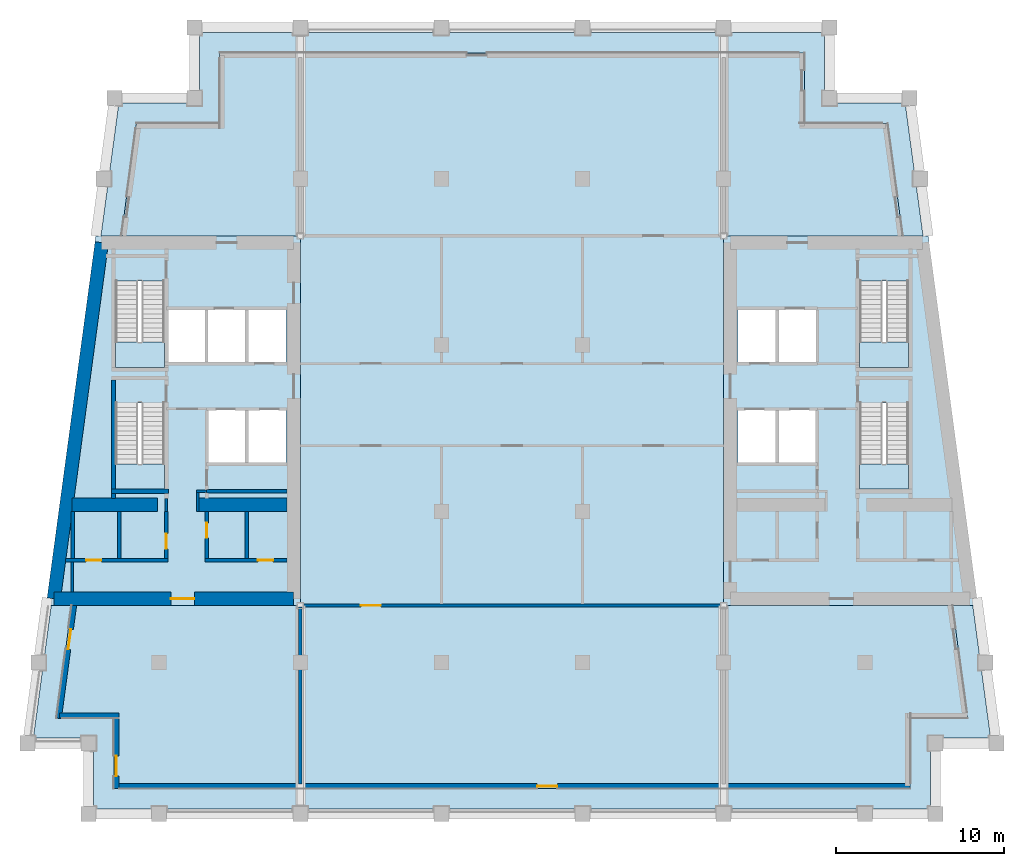
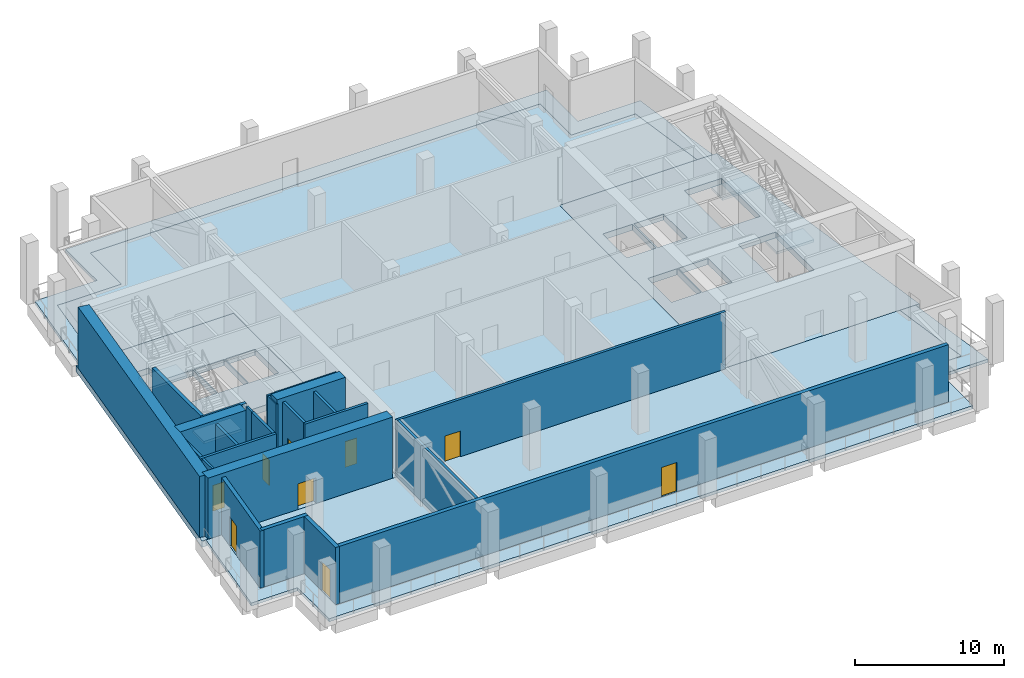
# One storey, part 4 of 11: 24 walls, 9 doors, 9 slabs, 9 openings, 4 elements without a shape of their own.
"""IFC4 building model written with IfcOpenShell, lengths in metres."""

from ifc_helpers import new_model, si_unit, direction, frame, frame_2d, origin, place, context, subcontext, project, spatial, polyline, rectangle, outline, extrude, material, layer, layer_set, type_object, element, fill, aggregate, save


model = new_model("IFC4")

# Units and contexts
model_context = context("Model", 3, precision=1e-05, world=origin(), true_north=direction((0.0, 1.0)))
body_context = subcontext(model_context, "Body", "Model", "MODEL_VIEW")
ifc_project = project(units=[si_unit("LENGTHUNIT", "METRE"), si_unit("AREAUNIT", "SQUARE_METRE"), si_unit("VOLUMEUNIT", "CUBIC_METRE"), si_unit("PLANEANGLEUNIT", "RADIAN"), si_unit("MASSUNIT", "GRAM", prefix="KILO")], contexts=[model_context])

# Site, building, storey
site_placement = place(None, origin())
site = spatial("IfcSite", under=ifc_project, at=site_placement, CompositionType="ELEMENT")
building_placement = place(site_placement, origin())
building = spatial("IfcBuilding", under=site, at=building_placement, Name="Candeia Pilgrim Tower and Theatre", CompositionType="ELEMENT")
storey_placement = place(building_placement, frame((0.0, 0.0, 254.0)))
storey = spatial("IfcBuildingStorey", under=building, at=storey_placement, Name="L61", CompositionType="ELEMENT", Elevation=254.0)

# Slabs
ifc_material_1 = material(Name="Concrete C60/75", Category="concrete")
ifc_layer_1 = layer(ifc_material_1, 0.5)
ifc_layer_set_1 = layer_set([ifc_layer_1], Name="FS-CORE 500 core floor")
slab_type_1 = type_object("IfcSlabType", Name="FS-CORE 500 core floor", PredefinedType="FLOOR", material=ifc_layer_set_1)
slab_1_placement = place(storey_placement, frame((0.0, 0.0, -0.5)))
element("IfcSlab", 1, at=slab_1_placement, inside=storey, type_object=slab_type_1, Name="Core floor W L61", PredefinedType="FLOOR", context=body_context, shape_type="SweptSolid", body=[
    extrude(outline(polyline([(100.800048828125, 132.39990234375), (100.800048828125, 110.39990234375), (85.669189453125, 110.39990234375), (88.630859375, 132.39990234375), (100.800048828125, 132.39990234375)]), holes=[polyline([(97.658935546875, 128.050048828125), (97.658935546875, 124.85009765625), (99.949951171875, 124.85009765625), (99.949951171875, 128.050048828125), (97.658935546875, 128.050048828125)]), polyline([(97.66357421875, 122.050048828125), (97.66357421875, 118.85009765625), (99.949951171875, 118.85009765625), (99.949951171875, 122.050048828125), (97.66357421875, 122.050048828125)]), polyline([(95.277099609375, 122.050048828125), (95.277099609375, 118.85009765625), (97.5634765625, 118.85009765625), (97.5634765625, 122.050048828125), (95.277099609375, 122.050048828125)]), polyline([(95.26806640625, 128.050048828125), (95.26806640625, 124.85009765625), (97.55908203125, 124.85009765625), (97.55908203125, 128.050048828125), (95.26806640625, 128.050048828125)]), polyline([(92.876953125, 128.050048828125), (92.876953125, 124.85009765625), (95.16796875, 124.85009765625), (95.16796875, 128.050048828125), (92.876953125, 128.050048828125)]), polyline([(89.802001953125, 117.324951171875), (92.701904296875, 117.324951171875), (92.701904296875, 122.455078125), (89.802001953125, 122.455078125), (89.802001953125, 117.324951171875)]), polyline([(89.802001953125, 129.705078125), (89.802001953125, 124.574951171875), (92.701904296875, 124.574951171875), (92.701904296875, 129.705078125), (89.802001953125, 129.705078125)])]), origin(), (0.0, 0.0, 1.0), 0.5),
])
slab_2_placement = place(storey_placement, frame((0.0, 0.0, -0.5)))
element("IfcSlab", 2, at=slab_2_placement, inside=storey, type_object=slab_type_1, Name="Core floor E L61", PredefinedType="FLOOR", context=body_context, shape_type="SweptSolid", body=[
    extrude(outline(polyline([(138.169189453125, 132.39990234375), (141.130859375, 110.39990234375), (126.0, 110.39990234375), (126.0, 132.39990234375), (138.169189453125, 132.39990234375)]), holes=[polyline([(134.097900390625, 117.324951171875), (136.998046875, 117.324951171875), (136.998046875, 122.455078125), (134.097900390625, 122.455078125), (134.097900390625, 117.324951171875)]), polyline([(134.097900390625, 129.705078125), (134.097900390625, 124.574951171875), (136.998046875, 124.574951171875), (136.998046875, 129.705078125), (134.097900390625, 129.705078125)]), polyline([(131.531982421875, 128.050048828125), (129.240966796875, 128.050048828125), (129.240966796875, 124.85009765625), (131.531982421875, 124.85009765625), (131.531982421875, 128.050048828125)]), polyline([(131.52294921875, 122.050048828125), (129.236572265625, 122.050048828125), (129.236572265625, 118.85009765625), (131.52294921875, 118.85009765625), (131.52294921875, 122.050048828125)]), polyline([(126.85009765625, 128.050048828125), (126.85009765625, 124.85009765625), (129.14111328125, 124.85009765625), (129.14111328125, 128.050048828125), (126.85009765625, 128.050048828125)]), polyline([(129.136474609375, 122.050048828125), (126.85009765625, 122.050048828125), (126.85009765625, 118.85009765625), (129.136474609375, 118.85009765625), (129.136474609375, 122.050048828125)])]), origin(), (0.0, 0.0, 1.0), 0.5),
])
ifc_material_2 = material(Name="Concrete C50/60", Category="concrete")
ifc_layer_2 = layer(ifc_material_2, 0.5)
ifc_layer_set_2 = layer_set([ifc_layer_2], Name="Floor slab 500 C50/60")
slab_type_2 = type_object("IfcSlabType", Name="Floor slab 500 C50/60", PredefinedType="FLOOR", material=ifc_layer_set_2)
slab_3_placement = place(storey_placement, frame((0.0, 0.0, -0.5)))
element("IfcSlab", 3, at=slab_3_placement, inside=storey, type_object=slab_type_2, Name="Floor slab L61", PredefinedType="FLOOR", context=body_context, shape_type="SweptSolid", body=[
    extrude(outline(polyline([(96.0, 139.10009765625), (96.0, 143.300048828125), (130.800048828125, 143.300048828125), (130.800048828125, 139.10009765625), (135.753662109375, 139.10009765625), (136.65576171875, 132.39990234375), (126.0, 132.39990234375), (126.0, 110.39990234375), (139.6171875, 110.39990234375), (140.51904296875, 103.699951171875), (137.10009765625, 103.699951171875), (137.10009765625, 99.5), (89.699951171875, 99.5), (89.699951171875, 103.699951171875), (86.28076171875, 103.699951171875), (87.182861328125, 110.39990234375), (100.800048828125, 110.39990234375), (100.800048828125, 132.39990234375), (90.144287109375, 132.39990234375), (91.046142578125, 139.10009765625), (96.0, 139.10009765625)])), origin(), (0.0, 0.0, 1.0), 0.5),
])
ifc_material_3 = material(Name="Concrete C40/50", Category="concrete")
ifc_layer_3 = layer(ifc_material_3, 0.25)
ifc_layer_set_3 = layer_set([ifc_layer_3], Name="Loggia slab 250 C40/50")
slab_type_3 = type_object("IfcSlabType", Name="Loggia slab 250 C40/50", PredefinedType="FLOOR", material=ifc_layer_set_3)
slab_4_placement = place(storey_placement, frame((0.0, 0.0, -0.25)))
element("IfcSlab", 4, at=slab_4_placement, inside=storey, type_object=slab_type_3, Name="Loggia slab L61 1", PredefinedType="FLOOR", context=body_context, shape_type="SweptSolid", body=[
    extrude(outline(polyline([(87.182861328125, 110.39990234375), (86.28076171875, 103.699951171875), (89.699951171875, 103.699951171875), (89.699951171875, 99.5), (137.10009765625, 99.5), (137.10009765625, 103.699951171875), (140.51904296875, 103.699951171875), (139.6171875, 110.39990234375), (140.828125, 110.39990234375), (141.8916015625, 102.5), (138.300048828125, 102.5), (138.300048828125, 98.300048828125), (88.5, 98.300048828125), (88.5, 102.5), (84.908447265625, 102.5), (85.971923828125, 110.39990234375), (87.182861328125, 110.39990234375)])), origin(), (0.0, 0.0, 1.0), 0.25),
])
slab_5_placement = place(storey_placement, frame((0.0, 0.0, -0.25)))
element("IfcSlab", 5, at=slab_5_placement, inside=storey, type_object=slab_type_3, Name="Loggia slab L61 2", PredefinedType="FLOOR", context=body_context, shape_type="SweptSolid", body=[
    extrude(outline(polyline([(136.65576171875, 132.39990234375), (135.753662109375, 139.10009765625), (130.800048828125, 139.10009765625), (130.800048828125, 143.300048828125), (96.0, 143.300048828125), (96.0, 139.10009765625), (91.046142578125, 139.10009765625), (90.144287109375, 132.39990234375), (88.93359375, 132.39990234375), (89.996826171875, 140.300048828125), (94.800048828125, 140.300048828125), (94.800048828125, 144.5), (132.0, 144.5), (132.0, 140.300048828125), (136.802978515625, 140.300048828125), (137.866455078125, 132.39990234375), (136.65576171875, 132.39990234375)])), origin(), (0.0, 0.0, 1.0), 0.25),
])

# Stair, slab
stair_type = type_object("IfcStairType", Name="ST-TWR dog-leg escape stair", PredefinedType="HALF_TURN_STAIR", material=ifc_material_3)
stair_1_placement = place(storey_placement, origin())
stair_1 = element("IfcStair", 6, at=stair_1_placement, inside=storey, type_object=stair_type, Name="L61 Escape stair ST1", PredefinedType="HALF_TURN_STAIR")
ifc_layer_4 = layer(ifc_material_3, 0.199951171875)
ifc_layer_set_4 = layer_set([ifc_layer_4], Name="SL-LANDING stair landing")
slab_type_4 = type_object("IfcSlabType", Name="SL-LANDING stair landing", PredefinedType="LANDING", material=ifc_layer_set_4)
slab_6_placement = place(storey_placement, frame((0.0, 0.0, 2.300048828125)))
slab_6 = element("IfcSlab", 7, at=slab_6_placement, type_object=slab_type_4, Name="ST1 landing 1", PredefinedType="LANDING", context=body_context, shape_type="SweptSolid", body=[
    extrude(outline(polyline([(89.802001953125, 118.8349609375), (89.802001953125, 117.324951171875), (92.701904296875, 117.324951171875), (92.701904296875, 118.8349609375), (89.802001953125, 118.8349609375)])), origin(), (0.0, 0.0, 1.0), 0.199951171875),
])
aggregate(stair_1, [slab_6])

stair_2_placement = place(storey_placement, origin())
stair_2 = element("IfcStair", 8, at=stair_2_placement, inside=storey, type_object=stair_type, Name="L61 Escape stair ST2", PredefinedType="HALF_TURN_STAIR")
slab_7_placement = place(storey_placement, frame((0.0, 0.0, 2.300048828125)))
slab_7 = element("IfcSlab", 9, at=slab_7_placement, type_object=slab_type_4, Name="ST2 landing 1", PredefinedType="LANDING", context=body_context, shape_type="SweptSolid", body=[
    extrude(outline(polyline([(89.802001953125, 126.0849609375), (89.802001953125, 124.574951171875), (92.701904296875, 124.574951171875), (92.701904296875, 126.0849609375), (89.802001953125, 126.0849609375)])), origin(), (0.0, 0.0, 1.0), 0.199951171875),
])
aggregate(stair_2, [slab_7])

stair_3_placement = place(storey_placement, origin())
stair_3 = element("IfcStair", 10, at=stair_3_placement, inside=storey, type_object=stair_type, Name="L61 Escape stair ST3", PredefinedType="HALF_TURN_STAIR")
slab_8_placement = place(storey_placement, frame((0.0, 0.0, 2.300048828125)))
slab_8 = element("IfcSlab", 11, at=slab_8_placement, type_object=slab_type_4, Name="ST3 landing 1", PredefinedType="LANDING", context=body_context, shape_type="SweptSolid", body=[
    extrude(outline(polyline([(134.097900390625, 118.8349609375), (134.097900390625, 117.324951171875), (136.998046875, 117.324951171875), (136.998046875, 118.8349609375), (134.097900390625, 118.8349609375)])), origin(), (0.0, 0.0, 1.0), 0.199951171875),
])
aggregate(stair_3, [slab_8])

stair_4_placement = place(storey_placement, origin())
stair_4 = element("IfcStair", 12, at=stair_4_placement, inside=storey, type_object=stair_type, Name="L61 Escape stair ST4", PredefinedType="HALF_TURN_STAIR")
slab_9_placement = place(storey_placement, frame((0.0, 0.0, 2.300048828125)))
slab_9 = element("IfcSlab", 13, at=slab_9_placement, type_object=slab_type_4, Name="ST4 landing 1", PredefinedType="LANDING", context=body_context, shape_type="SweptSolid", body=[
    extrude(outline(polyline([(134.097900390625, 126.0849609375), (134.097900390625, 124.574951171875), (136.998046875, 124.574951171875), (136.998046875, 126.0849609375), (134.097900390625, 126.0849609375)])), origin(), (0.0, 0.0, 1.0), 0.199951171875),
])
aggregate(stair_4, [slab_9])

# Wall, opening, door
ifc_layer_5 = layer(ifc_material_2, 0.800048828125)
ifc_layer_set_5 = layer_set([ifc_layer_5], Name="Core wall 800 C50/60")
wall_type_1 = type_object("IfcWallType", Name="Core wall 800 C50/60", PredefinedType="SHEAR", material=ifc_layer_set_5)
wall_1_placement = place(storey_placement, frame((100.39990234375, 110.800048828125, 0.0), z_axis=(0.0, 0.0, 1.0), x_axis=(-1.0, 0.0, 0.0)))
wall_1 = element("IfcWall", 14, at=wall_1_placement, inside=storey, type_object=wall_type_1, Name="Core wall W3", PredefinedType="SHEAR", context=body_context, shape_type="SweptSolid", body=[
    extrude(rectangle(XDim=14.273193359375, YDim=0.800048828125, at=frame_2d((7.13671875, 0.0))), origin(), (0.0, 0.0, 1.0), 5.0),
])
opening_1_placement = place(wall_1_placement, frame((5.907958984375, 0.0, 0.0)))
opening_1 = element("IfcOpeningElement", 15, at=opening_1_placement, cuts=wall_1, Name="Opening L61-D025", PredefinedType="OPENING", context=body_context, shape_type="SweptSolid", body=[
    extrude(rectangle(XDim=1.39990234375, YDim=2.10009765625, at=frame_2d((0.699951171875, 1.050048828125))), frame((0.0, 0.41015625, 0.0), z_axis=(0.0, -1.0, 0.0), x_axis=(1.0, 0.0, 0.0)), (0.0, 0.0, 1.0), 0.820068359375),
])
ifc_material_4 = material(Name="Steel fire door set", Category="steel")
door_type_1 = type_object("IfcDoorType", Name="D-1400-FD60", OperationType="NOTDEFINED", PredefinedType="DOOR", material=ifc_material_4)
door_1_placement = place(opening_1_placement, origin())
door_1 = element("IfcDoor", 16, at=door_1_placement, inside=storey, type_object=door_type_1, Name="Door L61-D025", OperationType="SINGLE_SWING_RIGHT", OverallHeight=2.10009765625, OverallWidth=1.39990234375, PredefinedType="DOOR", context=body_context, shape_type="SweptSolid", body=[
    extrude(rectangle(XDim=1.39990234375, YDim=2.10009765625, at=frame_2d((0.699951171875, 1.050048828125))), frame((0.0, 0.02490234375, 0.0), z_axis=(0.0, -1.0, 0.0), x_axis=(1.0, 0.0, 0.0)), (0.0, 0.0, 1.0), 0.050048828125),
])
fill(opening_1, door_1)

# Walls
wall_2_placement = place(storey_placement, frame((86.126708984375, 110.800048828125, 0.0), z_axis=(0.0, 0.0, 1.0), x_axis=(0.133408347329, 0.991061154956, 0.0)))
element("IfcWall", 17, at=wall_2_placement, inside=storey, type_object=wall_type_1, Name="Core wall W4", PredefinedType="SHEAR", context=body_context, shape_type="SweptSolid", body=[
    extrude(rectangle(XDim=21.39111328125, YDim=0.800048828125, at=frame_2d((10.695556640625, 0.0))), origin(), (0.0, 0.0, 1.0), 5.0),
])
wall_3_placement = place(storey_placement, frame((87.22314453125, 116.39990234375, 0.0), z_axis=(0.0, 0.0, 1.0), x_axis=(1.0, 0.0, 0.0)))
element("IfcWall", 18, at=wall_3_placement, inside=storey, type_object=wall_type_1, Name="Core wall W5", PredefinedType="SHEAR", context=body_context, shape_type="SweptSolid", body=[
    extrude(rectangle(XDim=5.076904296875, YDim=0.800048828125, at=frame_2d((2.53857421875, 0.0))), origin(), (0.0, 0.0, 1.0), 5.0),
])
wall_4_placement = place(storey_placement, frame((94.699951171875, 116.39990234375, 0.0), z_axis=(0.0, 0.0, 1.0), x_axis=(1.0, 0.0, 0.0)))
element("IfcWall", 19, at=wall_4_placement, inside=storey, type_object=wall_type_1, Name="Core wall W6", PredefinedType="SHEAR", context=body_context, shape_type="SweptSolid", body=[
    extrude(rectangle(XDim=5.300048828125, YDim=0.800048828125, at=frame_2d((2.64990234375, 0.0))), origin(), (0.0, 0.0, 1.0), 5.0),
])

# Wall, opening, door
ifc_material_5 = material(Name="Ceramic block masonry", Category="masonry")
ifc_layer_6 = layer(ifc_material_5, 0.300048828125)
ifc_layer_set_6 = layer_set([ifc_layer_6], Name="EW1 glazing-line wall 300")
wall_type_2 = type_object("IfcWallType", Name="EW1 glazing-line wall 300", PredefinedType="SOLIDWALL", material=ifc_layer_set_6)
wall_5_placement = place(storey_placement, frame((89.85009765625, 99.64990234375, 0.0), z_axis=(0.0, 0.0, 1.0), x_axis=(1.0, 0.0, 0.0)))
wall_5 = element("IfcWall", 20, at=wall_5_placement, inside=storey, type_object=wall_type_2, Name="External wall L61-0.0", PredefinedType="SOLIDWALL", context=body_context, shape_type="SweptSolid", body=[
    extrude(rectangle(XDim=47.25, YDim=0.300048828125, at=frame_2d((23.625, 0.0))), origin(), (0.0, 0.0, 1.0), 4.679931640625),
])
opening_2_placement = place(wall_5_placement, frame((25.050048828125, 0.0, 0.0)))
opening_2 = element("IfcOpeningElement", 21, at=opening_2_placement, cuts=wall_5, Name="Opening L61-ED577", PredefinedType="OPENING", context=body_context, shape_type="SweptSolid", body=[
    extrude(rectangle(XDim=1.199951171875, YDim=2.39990234375, at=frame_2d((0.60009765625, 1.199951171875))), frame((0.0, 0.16015625, 0.0), z_axis=(0.0, -1.0, 0.0), x_axis=(1.0, 0.0, 0.0)), (0.0, 0.0, 1.0), 0.320068359375),
])
ifc_material_6 = material(Name="Aluminium framed glazed door", Category="aluminium")
door_type_2 = type_object("IfcDoorType", Name="Loggia door 1200x2400", OperationType="DOUBLE_DOOR_SINGLE_SWING", PredefinedType="DOOR", material=ifc_material_6)
door_2_placement = place(opening_2_placement, origin())
door_2 = element("IfcDoor", 22, at=door_2_placement, inside=storey, type_object=door_type_2, Name="Loggia door L61-ED577", OperationType="DOUBLE_DOOR_SINGLE_SWING", OverallHeight=2.39990234375, OverallWidth=1.199951171875, PredefinedType="DOOR", context=body_context, shape_type="SweptSolid", body=[
    extrude(rectangle(XDim=1.199951171875, YDim=2.39990234375, at=frame_2d((0.60009765625, 1.199951171875))), frame((0.0, 0.02490234375, 0.0), z_axis=(0.0, -1.0, 0.0), x_axis=(1.0, 0.0, 0.0)), (0.0, 0.0, 1.0), 0.050048828125),
])
fill(opening_2, door_2)

wall_6_placement = place(storey_placement, frame((87.334228515625, 110.39990234375, 0.0), z_axis=(0.0, 0.0, 1.0), x_axis=(-0.133437175554, -0.991057273915, 0.0)))
wall_6 = element("IfcWall", 23, at=wall_6_placement, inside=storey, type_object=wall_type_2, Name="External wall L61-9.1", PredefinedType="SOLIDWALL", context=body_context, shape_type="SweptSolid", body=[
    extrude(rectangle(XDim=6.780517578125, YDim=0.300048828125, at=frame_2d((3.39013671875, 0.0))), origin(), (0.0, 0.0, 1.0), 4.679931640625),
])
opening_3_placement = place(wall_6_placement, frame((1.41796875, 0.0, 0.0)))
opening_3 = element("IfcOpeningElement", 24, at=opening_3_placement, cuts=wall_6, Name="Opening L61-ED583", PredefinedType="OPENING", context=body_context, shape_type="SweptSolid", body=[
    extrude(rectangle(XDim=1.199951171875, YDim=2.39990234375, at=frame_2d((0.60009765625, 1.199951171875))), frame((0.0, 0.16015625, 0.0), z_axis=(0.0, -1.0, 0.0), x_axis=(1.0, 0.0, 0.0)), (0.0, 0.0, 1.0), 0.320068359375),
])
door_3_placement = place(opening_3_placement, origin())
door_3 = element("IfcDoor", 25, at=door_3_placement, inside=storey, type_object=door_type_2, Name="Loggia door L61-ED583", OperationType="DOUBLE_DOOR_SINGLE_SWING", OverallHeight=2.39990234375, OverallWidth=1.199951171875, PredefinedType="DOOR", context=body_context, shape_type="SweptSolid", body=[
    extrude(rectangle(XDim=1.199951171875, YDim=2.39990234375, at=frame_2d((0.60009765625, 1.199951171875))), frame((0.0, 0.02490234375, 0.0), z_axis=(0.0, -1.0, 0.0), x_axis=(1.0, 0.0, 0.0)), (0.0, 0.0, 1.0), 0.050048828125),
])
fill(opening_3, door_3)

# Wall
wall_7_placement = place(storey_placement, frame((86.452392578125, 103.85009765625, 0.0), z_axis=(0.0, 0.0, 1.0), x_axis=(1.0, 0.0, 0.0)))
element("IfcWall", 26, at=wall_7_placement, inside=storey, type_object=wall_type_2, Name="External wall L61-10.0", PredefinedType="SOLIDWALL", context=body_context, shape_type="SweptSolid", body=[
    extrude(rectangle(XDim=3.547607421875, YDim=0.300048828125, at=frame_2d((1.77392578125, 0.0))), origin(), (0.0, 0.0, 1.0), 4.679931640625),
])

# Wall, opening, door
wall_8_placement = place(storey_placement, frame((89.85009765625, 103.85009765625, 0.0), z_axis=(0.0, 0.0, 1.0), x_axis=(0.0, -1.0, 0.0)))
wall_8 = element("IfcWall", 27, at=wall_8_placement, inside=storey, type_object=wall_type_2, Name="External wall L61-11.0", PredefinedType="SOLIDWALL", context=body_context, shape_type="SweptSolid", body=[
    extrude(rectangle(XDim=4.35009765625, YDim=0.300048828125, at=frame_2d((2.175048828125, 0.0))), origin(), (0.0, 0.0, 1.0), 4.679931640625),
])
opening_4_placement = place(wall_8_placement, frame((2.39990234375, 0.0, 0.0)))
opening_4 = element("IfcOpeningElement", 28, at=opening_4_placement, cuts=wall_8, Name="Opening L61-ED584", PredefinedType="OPENING", context=body_context, shape_type="SweptSolid", body=[
    extrude(rectangle(XDim=1.199951171875, YDim=2.39990234375, at=frame_2d((0.60009765625, 1.199951171875))), frame((0.0, 0.16015625, 0.0), z_axis=(0.0, -1.0, 0.0), x_axis=(1.0, 0.0, 0.0)), (0.0, 0.0, 1.0), 0.320068359375),
])
door_4_placement = place(opening_4_placement, origin())
door_4 = element("IfcDoor", 29, at=door_4_placement, inside=storey, type_object=door_type_2, Name="Loggia door L61-ED584", OperationType="DOUBLE_DOOR_SINGLE_SWING", OverallHeight=2.39990234375, OverallWidth=1.199951171875, PredefinedType="DOOR", context=body_context, shape_type="SweptSolid", body=[
    extrude(rectangle(XDim=1.199951171875, YDim=2.39990234375, at=frame_2d((0.60009765625, 1.199951171875))), frame((0.0, 0.02490234375, 0.0), z_axis=(0.0, -1.0, 0.0), x_axis=(1.0, 0.0, 0.0)), (0.0, 0.0, 1.0), 0.050048828125),
])
fill(opening_4, door_4)

# Walls
ifc_material_7 = material(Name="Gypsum board partition on steel studs", Category="steel")
ifc_layer_7 = layer(ifc_material_7, 0.14990234375)
ifc_layer_set_7 = layer_set([ifc_layer_7], Name="PW-150 lobby wall")
wall_type_3 = type_object("IfcWallType", Name="PW-150 lobby wall", PredefinedType="PARTITIONING", material=ifc_layer_set_7)
wall_9_placement = place(storey_placement, frame((94.625, 117.199951171875, 0.0), z_axis=(0.0, 0.0, 1.0), x_axis=(1.0, 0.0, 0.0)))
element("IfcWall", 30, at=wall_9_placement, inside=storey, type_object=wall_type_3, Name="Lobby wall L61-008", PredefinedType="PARTITIONING", context=body_context, shape_type="SweptSolid", body=[
    extrude(rectangle(XDim=0.60205078125, YDim=0.14990234375, at=frame_2d((0.301025390625, 0.0))), origin(), (0.0, 0.0, 1.0), 4.679931640625),
])
wall_10_placement = place(storey_placement, frame((87.22705078125, 111.199951171875, 0.0), z_axis=(0.0, 0.0, 1.0), x_axis=(0.0, 1.0, 0.0)))
element("IfcWall", 31, at=wall_10_placement, inside=storey, type_object=wall_type_3, Name="Lobby wall L61-034", PredefinedType="PARTITIONING", context=body_context, shape_type="SweptSolid", body=[
    extrude(rectangle(XDim=1.800048828125, YDim=0.14990234375, at=frame_2d((0.89990234375, 0.0))), origin(), (0.0, 0.0, 1.0), 4.679931640625),
])
wall_11_placement = place(storey_placement, frame((92.826904296875, 116.0, 0.0), z_axis=(0.0, 0.0, 1.0), x_axis=(0.0, 1.0, 0.0)))
element("IfcWall", 32, at=wall_11_placement, inside=storey, type_object=wall_type_3, Name="Lobby wall L61-039", PredefinedType="PARTITIONING", context=body_context, shape_type="SweptSolid", body=[
    extrude(rectangle(XDim=0.77001953125, YDim=0.14990234375, at=frame_2d((0.385009765625, 0.0))), origin(), (0.0, 0.0, 1.0), 4.679931640625),
])
wall_12_placement = place(storey_placement, frame((94.699951171875, 116.0, 0.0), z_axis=(0.0, 0.0, 1.0), x_axis=(0.0, 1.0, 0.0)))
element("IfcWall", 33, at=wall_12_placement, inside=storey, type_object=wall_type_3, Name="Lobby wall L61-043", PredefinedType="PARTITIONING", context=body_context, shape_type="SweptSolid", body=[
    extrude(rectangle(XDim=1.125, YDim=0.14990234375, at=frame_2d((0.5625, 0.0))), origin(), (0.0, 0.0, 1.0), 4.679931640625),
])

# Wall, opening, door
ifc_layer_8 = layer(ifc_material_7, 0.199951171875)
ifc_layer_set_8 = layer_set([ifc_layer_8], Name="PW-200 party wall")
wall_type_4 = type_object("IfcWallType", Name="PW-200 party wall", PredefinedType="PARTITIONING", material=ifc_layer_set_8)
wall_13_placement = place(storey_placement, frame((100.699951171875, 110.39990234375, 0.0), z_axis=(0.0, 0.0, 1.0), x_axis=(1.0, 0.0, 0.0)))
wall_13 = element("IfcWall", 34, at=wall_13_placement, inside=storey, type_object=wall_type_4, Name="Party wall L61-001", PredefinedType="PARTITIONING", context=body_context, shape_type="SweptSolid", body=[
    extrude(rectangle(XDim=25.400146484375, YDim=0.199951171875, at=frame_2d((12.7001953125, 0.0))), origin(), (0.0, 0.0, 1.0), 4.679931640625),
])
opening_5_placement = place(wall_13_placement, frame((3.699951171875, 0.0, 0.0)))
opening_5 = element("IfcOpeningElement", 35, at=opening_5_placement, cuts=wall_13, Name="Opening L61-D007", PredefinedType="OPENING", context=body_context, shape_type="SweptSolid", body=[
    extrude(rectangle(XDim=1.199951171875, YDim=2.10009765625, at=frame_2d((0.60009765625, 1.050048828125))), frame((0.0, 0.10986328125, 0.0), z_axis=(0.0, -1.0, 0.0), x_axis=(1.0, 0.0, 0.0)), (0.0, 0.0, 1.0), 0.219970703125),
])
door_type_3 = type_object("IfcDoorType", Name="D-1200-FD60", OperationType="NOTDEFINED", PredefinedType="DOOR", material=ifc_material_4)
door_5_placement = place(opening_5_placement, origin())
door_5 = element("IfcDoor", 36, at=door_5_placement, inside=storey, type_object=door_type_3, Name="Door L61-D007", OperationType="SINGLE_SWING_RIGHT", OverallHeight=2.10009765625, OverallWidth=1.199951171875, PredefinedType="DOOR", context=body_context, shape_type="SweptSolid", body=[
    extrude(rectangle(XDim=1.199951171875, YDim=2.10009765625, at=frame_2d((0.60009765625, 1.050048828125))), frame((0.0, 0.02490234375, 0.0), z_axis=(0.0, -1.0, 0.0), x_axis=(1.0, 0.0, 0.0)), (0.0, 0.0, 1.0), 0.050048828125),
])
fill(opening_5, door_5)

# Wall
wall_14_placement = place(storey_placement, frame((100.800048828125, 99.7900390625, 0.0), z_axis=(0.0, 0.0, 1.0), x_axis=(0.0, 1.0, 0.0)))
element("IfcWall", 37, at=wall_14_placement, inside=storey, type_object=wall_type_4, Name="Party wall L61-050", PredefinedType="PARTITIONING", context=body_context, shape_type="SweptSolid", body=[
    extrude(rectangle(XDim=10.510009765625, YDim=0.199951171875, at=frame_2d((5.2548828125, 0.0))), origin(), (0.0, 0.0, 1.0), 4.679931640625),
])

# Wall, opening, door
ifc_layer_9 = layer(ifc_material_3, 0.199951171875)
ifc_layer_set_9 = layer_set([ifc_layer_9], Name="SW-200 shaft wall")
wall_type_5 = type_object("IfcWallType", Name="SW-200 shaft wall", PredefinedType="PARTITIONING", material=ifc_layer_set_9)
wall_15_placement = place(storey_placement, frame((86.809814453125, 113.10009765625, 0.0), z_axis=(0.0, 0.0, 1.0), x_axis=(1.0, 0.0, 0.0)))
wall_15 = element("IfcWall", 38, at=wall_15_placement, inside=storey, type_object=wall_type_5, Name="Shaft wall L61-002", PredefinedType="PARTITIONING", context=body_context, shape_type="SweptSolid", body=[
    extrude(rectangle(XDim=6.1171875, YDim=0.199951171875, at=frame_2d((3.05859375, 0.0))), origin(), (0.0, 0.0, 1.0), 4.679931640625),
])
opening_6_placement = place(wall_15_placement, frame((1.2470703125, 0.0, 0.0)))
opening_6 = element("IfcOpeningElement", 39, at=opening_6_placement, cuts=wall_15, Name="Opening L61-D013", PredefinedType="OPENING", context=body_context, shape_type="SweptSolid", body=[
    extrude(rectangle(XDim=0.89990234375, YDim=2.10009765625, at=frame_2d((0.449951171875, 1.050048828125))), frame((0.0, 0.10986328125, 0.0), z_axis=(0.0, -1.0, 0.0), x_axis=(1.0, 0.0, 0.0)), (0.0, 0.0, 1.0), 0.219970703125),
])
door_type_4 = type_object("IfcDoorType", Name="D-900-FD60", OperationType="NOTDEFINED", PredefinedType="DOOR", material=ifc_material_4)
door_6_placement = place(opening_6_placement, origin())
door_6 = element("IfcDoor", 40, at=door_6_placement, inside=storey, type_object=door_type_4, Name="Door L61-D013", OperationType="SINGLE_SWING_RIGHT", OverallHeight=2.10009765625, OverallWidth=0.89990234375, PredefinedType="DOOR", context=body_context, shape_type="SweptSolid", body=[
    extrude(rectangle(XDim=0.89990234375, YDim=2.10009765625, at=frame_2d((0.449951171875, 1.050048828125))), frame((0.0, 0.02490234375, 0.0), z_axis=(0.0, -1.0, 0.0), x_axis=(1.0, 0.0, 0.0)), (0.0, 0.0, 1.0), 0.050048828125),
])
fill(opening_6, door_6)

wall_16_placement = place(storey_placement, frame((95.126953125, 113.10009765625, 0.0), z_axis=(0.0, 0.0, 1.0), x_axis=(1.0, 0.0, 0.0)))
wall_16 = element("IfcWall", 41, at=wall_16_placement, inside=storey, type_object=wall_type_5, Name="Shaft wall L61-003", PredefinedType="PARTITIONING", context=body_context, shape_type="SweptSolid", body=[
    extrude(rectangle(XDim=4.873046875, YDim=0.199951171875, at=frame_2d((2.4365234375, 0.0))), origin(), (0.0, 0.0, 1.0), 4.679931640625),
])
opening_7_placement = place(wall_16_placement, frame((3.15087890625, 0.0, 0.0)))
opening_7 = element("IfcOpeningElement", 42, at=opening_7_placement, cuts=wall_16, Name="Opening L61-D016", PredefinedType="OPENING", context=body_context, shape_type="SweptSolid", body=[
    extrude(rectangle(XDim=0.89990234375, YDim=2.10009765625, at=frame_2d((0.449951171875, 1.050048828125))), frame((0.0, 0.10986328125, 0.0), z_axis=(0.0, -1.0, 0.0), x_axis=(1.0, 0.0, 0.0)), (0.0, 0.0, 1.0), 0.219970703125),
])
door_7_placement = place(opening_7_placement, origin())
door_7 = element("IfcDoor", 43, at=door_7_placement, inside=storey, type_object=door_type_4, Name="Door L61-D016", OperationType="SINGLE_SWING_LEFT", OverallHeight=2.10009765625, OverallWidth=0.89990234375, PredefinedType="DOOR", context=body_context, shape_type="SweptSolid", body=[
    extrude(rectangle(XDim=0.89990234375, YDim=2.10009765625, at=frame_2d((0.449951171875, 1.050048828125))), frame((0.0, 0.02490234375, 0.0), z_axis=(0.0, -1.0, 0.0), x_axis=(1.0, 0.0, 0.0)), (0.0, 0.0, 1.0), 0.050048828125),
])
fill(opening_7, door_7)

# Walls
wall_17_placement = place(storey_placement, frame((95.22705078125, 117.199951171875, 0.0), z_axis=(0.0, 0.0, 1.0), x_axis=(1.0, 0.0, 0.0)))
element("IfcWall", 44, at=wall_17_placement, inside=storey, type_object=wall_type_5, Name="Shaft wall L61-006", PredefinedType="PARTITIONING", context=body_context, shape_type="SweptSolid", body=[
    extrude(rectangle(XDim=4.77294921875, YDim=0.199951171875, at=frame_2d((2.386474609375, 0.0))), origin(), (0.0, 0.0, 1.0), 4.679931640625),
])
for number, where, z_axis, x_axis, name in (
    (45, (87.24951171875, 113.199951171875, 0.0), (0.0, 0.0, 1.0), (0.0, 1.0, 0.0), "Shaft wall L61-033"),
    (46, (90.027099609375, 113.199951171875, 0.0), (0.0, 0.0, 1.0), (0.0, 1.0, 0.0), "Shaft wall L61-037"),
):
    element("IfcWall", number, at=place(storey_placement, frame(where, z_axis=z_axis, x_axis=x_axis)), inside=storey, type_object=wall_type_5, Name=name, PredefinedType="PARTITIONING", context=body_context, shape_type="SweptSolid", body=[
        extrude(rectangle(XDim=2.800048828125, YDim=0.199951171875, at=frame_2d((1.39990234375, 0.0))), origin(), (0.0, 0.0, 1.0), 4.679931640625),
    ])

# Wall, opening, door
wall_18_placement = place(storey_placement, frame((92.826904296875, 113.199951171875, 0.0), z_axis=(0.0, 0.0, 1.0), x_axis=(0.0, 1.0, 0.0)))
wall_18 = element("IfcWall", 47, at=wall_18_placement, inside=storey, type_object=wall_type_5, Name="Shaft wall L61-038", PredefinedType="PARTITIONING", context=body_context, shape_type="SweptSolid", body=[
    extrude(rectangle(XDim=2.800048828125, YDim=0.199951171875, at=frame_2d((1.39990234375, 0.0))), origin(), (0.0, 0.0, 1.0), 4.679931640625),
])
opening_8_placement = place(wall_18_placement, frame((0.574951171875, 0.0, 0.0)))
opening_8 = element("IfcOpeningElement", 48, at=opening_8_placement, cuts=wall_18, Name="Opening L61-D014", PredefinedType="OPENING", context=body_context, shape_type="SweptSolid", body=[
    extrude(rectangle(XDim=0.89990234375, YDim=2.10009765625, at=frame_2d((0.449951171875, 1.050048828125))), frame((0.0, 0.10986328125, 0.0), z_axis=(0.0, -1.0, 0.0), x_axis=(1.0, 0.0, 0.0)), (0.0, 0.0, 1.0), 0.219970703125),
])
door_8_placement = place(opening_8_placement, origin())
door_8 = element("IfcDoor", 49, at=door_8_placement, inside=storey, type_object=door_type_4, Name="Door L61-D014", OperationType="SINGLE_SWING_LEFT", OverallHeight=2.10009765625, OverallWidth=0.89990234375, PredefinedType="DOOR", context=body_context, shape_type="SweptSolid", body=[
    extrude(rectangle(XDim=0.89990234375, YDim=2.10009765625, at=frame_2d((0.449951171875, 1.050048828125))), frame((0.0, 0.02490234375, 0.0), z_axis=(0.0, -1.0, 0.0), x_axis=(1.0, 0.0, 0.0)), (0.0, 0.0, 1.0), 0.050048828125),
])
fill(opening_8, door_8)

wall_19_placement = place(storey_placement, frame((95.22705078125, 113.199951171875, 0.0), z_axis=(0.0, 0.0, 1.0), x_axis=(0.0, 1.0, 0.0)))
wall_19 = element("IfcWall", 50, at=wall_19_placement, inside=storey, type_object=wall_type_5, Name="Shaft wall L61-045", PredefinedType="PARTITIONING", context=body_context, shape_type="SweptSolid", body=[
    extrude(rectangle(XDim=2.800048828125, YDim=0.199951171875, at=frame_2d((1.39990234375, 0.0))), origin(), (0.0, 0.0, 1.0), 4.679931640625),
])
opening_9_placement = place(wall_19_placement, frame((1.22509765625, 0.0, 0.0)))
opening_9 = element("IfcOpeningElement", 51, at=opening_9_placement, cuts=wall_19, Name="Opening L61-D015", PredefinedType="OPENING", context=body_context, shape_type="SweptSolid", body=[
    extrude(rectangle(XDim=0.89990234375, YDim=2.10009765625, at=frame_2d((0.449951171875, 1.050048828125))), frame((0.0, 0.10986328125, 0.0), z_axis=(0.0, -1.0, 0.0), x_axis=(1.0, 0.0, 0.0)), (0.0, 0.0, 1.0), 0.219970703125),
])
door_9_placement = place(opening_9_placement, origin())
door_9 = element("IfcDoor", 52, at=door_9_placement, inside=storey, type_object=door_type_4, Name="Door L61-D015", OperationType="SINGLE_SWING_RIGHT", OverallHeight=2.10009765625, OverallWidth=0.89990234375, PredefinedType="DOOR", context=body_context, shape_type="SweptSolid", body=[
    extrude(rectangle(XDim=0.89990234375, YDim=2.10009765625, at=frame_2d((0.449951171875, 1.050048828125))), frame((0.0, 0.02490234375, 0.0), z_axis=(0.0, -1.0, 0.0), x_axis=(1.0, 0.0, 0.0)), (0.0, 0.0, 1.0), 0.050048828125),
])
fill(opening_9, door_9)

# Walls
wall_20_placement = place(storey_placement, frame((97.613525390625, 113.199951171875, 0.0), z_axis=(0.0, 0.0, 1.0), x_axis=(0.0, 1.0, 0.0)))
element("IfcWall", 53, at=wall_20_placement, inside=storey, type_object=wall_type_5, Name="Shaft wall L61-048", PredefinedType="PARTITIONING", context=body_context, shape_type="SweptSolid", body=[
    extrude(rectangle(XDim=2.800048828125, YDim=0.199951171875, at=frame_2d((1.39990234375, 0.0))), origin(), (0.0, 0.0, 1.0), 4.679931640625),
])
ifc_layer_10 = layer(ifc_material_3, 0.25)
ifc_layer_set_10 = layer_set([ifc_layer_10], Name="SW-250 stair wall")
wall_type_6 = type_object("IfcWallType", Name="SW-250 stair wall", PredefinedType="PARTITIONING", material=ifc_layer_set_10)
wall_21_placement = place(storey_placement, frame((89.552001953125, 117.199951171875, 0.0), z_axis=(0.0, 0.0, 1.0), x_axis=(1.0, 0.0, 0.0)))
element("IfcWall", 54, at=wall_21_placement, inside=storey, type_object=wall_type_6, Name="Stair wall L61-010", PredefinedType="PARTITIONING", context=body_context, shape_type="SweptSolid", body=[
    extrude(rectangle(XDim=3.39990234375, YDim=0.25, at=frame_2d((1.699951171875, 0.0))), origin(), (0.0, 0.0, 1.0), 4.679931640625),
])
wall_22_placement = place(storey_placement, frame((89.677001953125, 116.77001953125, 0.0), z_axis=(0.0, 0.0, 1.0), x_axis=(0.0, 1.0, 0.0)))
element("IfcWall", 55, at=wall_22_placement, inside=storey, type_object=wall_type_6, Name="Stair wall L61-035", PredefinedType="PARTITIONING", context=body_context, shape_type="SweptSolid", body=[
    extrude(rectangle(XDim=7.054931640625, YDim=0.25, at=frame_2d((3.52734375, 0.0))), origin(), (0.0, 0.0, 1.0), 4.679931640625),
])

save(model, "model.ifc")
